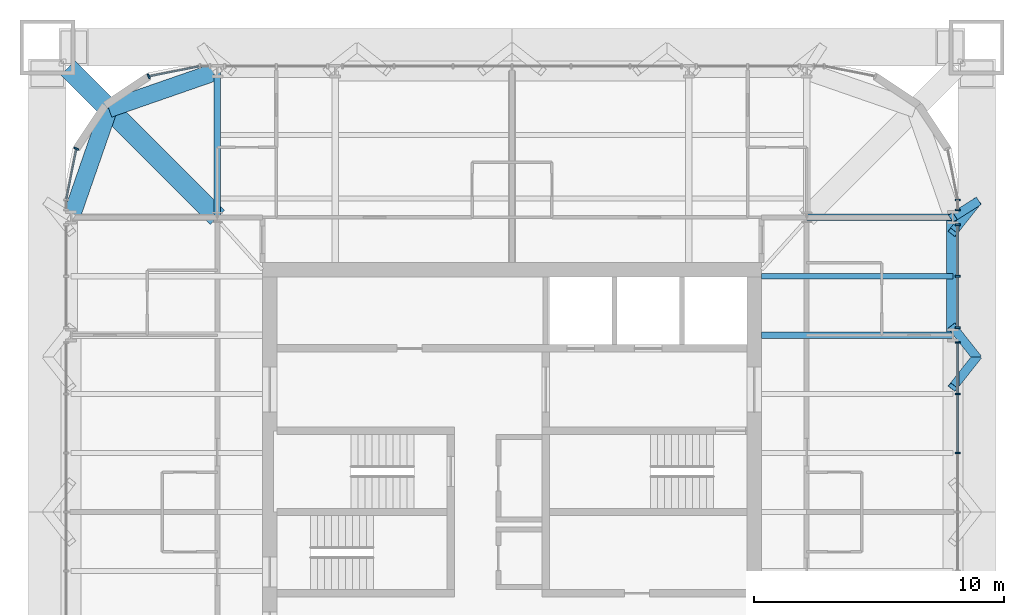
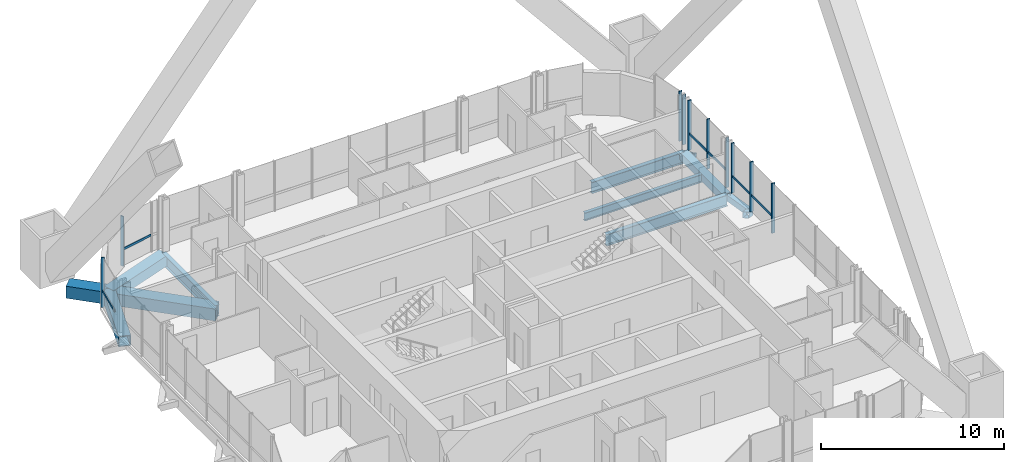
# One storey, part 9 of 23: 16 members, 12 beams, 5 elements without a shape of their own.
"""IFC4 building model written with IfcOpenShell, lengths in metres."""

from ifc_helpers import new_model, si_unit, direction, frame, origin, origin_2d, place, context, subcontext, project, spatial, rectangle, hollow_rectangle, i_section, extrude, material, material_profile, profile_set, type_object, element, aggregate, save


model = new_model("IFC4")

# Units and contexts
model_context = context("Model", 3, precision=1e-05, world=origin(), true_north=direction((0.0, 1.0)))
body_context = subcontext(model_context, "Body", "Model", "MODEL_VIEW")
ifc_project = project(units=[si_unit("LENGTHUNIT", "METRE"), si_unit("AREAUNIT", "SQUARE_METRE"), si_unit("VOLUMEUNIT", "CUBIC_METRE"), si_unit("PLANEANGLEUNIT", "RADIAN"), si_unit("MASSUNIT", "GRAM", prefix="KILO")], contexts=[model_context])

# Site, building, storey
site_placement = place(None, origin())
site = spatial("IfcSite", under=ifc_project, at=site_placement, CompositionType="ELEMENT")
building_placement = place(site_placement, origin())
building = spatial("IfcBuilding", under=site, at=building_placement, Name="Turquesa Mirador Hotel Tower", CompositionType="ELEMENT")
storey_placement = place(building_placement, frame((0.0, 0.0, 226.699951171875)))
storey = spatial("IfcBuildingStorey", under=building, at=storey_placement, Name="L61", CompositionType="ELEMENT", Elevation=226.699951171875)

# Beams
ifc_material_1 = material(Name="Steel ASTM A572 Grade 50", Category="steel")
ifc_material_profile_1 = material_profile(ifc_material_1, hollow_rectangle(XDim=0.5, YDim=0.5, WallThickness=0.031982421875, at=origin_2d()), Name="BOX500X500X32")
ifc_profile_set_1 = profile_set([ifc_material_profile_1], Name="Steel ASTM A572 Grade 50")
beam_type_1 = type_object("IfcBeamType", Name="BEAM BOX500X500X32", PredefinedType="BEAM", material=ifc_profile_set_1)
beam_1_placement = place(storey_placement, frame((72.64990234375, 52.080078125, -0.419921875), z_axis=(0.0, 1.0, 0.0), x_axis=(-1.0, 0.0, 0.0)))
element("IfcBeam", 1, at=beam_1_placement, inside=storey, type_object=beam_type_1, Name="EB-L61-E-R", PredefinedType="BEAM", context=body_context, shape_type="SweptSolid", body=[
    extrude(hollow_rectangle(XDim=0.5, YDim=0.5, WallThickness=0.031982421875, at=origin_2d()), origin(), (0.0, 0.0, 1.0), 4.719970703125),
])
ifc_material_2 = material(Name="Steel ASTM A572 Grade 50", Category="steel")
ifc_material_profile_2 = material_profile(ifc_material_2, hollow_rectangle(XDim=0.699951171875, YDim=0.699951171875, WallThickness=0.044921875, at=origin_2d()), Name="BOX700X700X45")
ifc_profile_set_2 = profile_set([ifc_material_profile_2], Name="Steel ASTM A572 Grade 50")
beam_type_2 = type_object("IfcBeamType", Name="BEAM BOX700X700X45", PredefinedType="BEAM", material=ifc_profile_set_2)
for number, where, z_axis, x_axis, name in (
    (2, (37.35009765625, 56.800048828125, -0.52001953125), (0.328170356092, 0.944618556552, 0.0), (-0.944618556552, 0.328170356092, 0.0), "KE-L61-2-0"),
    (3, (38.8583984375, 61.1416015625, -0.52001953125), (0.944618556552, 0.328170356092, 0.0), (-0.328170356092, 0.944618556552, 0.0), "KE-L61-2-1"),
):
    element("IfcBeam", number, at=place(storey_placement, frame(where, z_axis=z_axis, x_axis=x_axis)), inside=storey, type_object=beam_type_2, Name=name, PredefinedType="BEAM", context=body_context, shape_type="SweptSolid", body=[
        extrude(hollow_rectangle(XDim=0.699951171875, YDim=0.699951171875, WallThickness=0.044921875, at=origin_2d()), origin(), (0.0, 0.0, 1.0), 4.59619140625),
    ])
ifc_material_3 = material(Name="Steel ASTM A572 Grade 50", Category="steel")
ifc_material_profile_3 = material_profile(ifc_material_3, hollow_rectangle(XDim=0.800048828125, YDim=0.800048828125, WallThickness=0.050048828125, at=origin_2d()), Name="BOX800X800X50")
ifc_profile_set_3 = profile_set([ifc_material_profile_3], Name="Steel ASTM A572 Grade 50")
beam_type_3 = type_object("IfcBeamType", Name="BEAM BOX800X800X50", PredefinedType="BEAM", material=ifc_profile_set_3)
beam_2_placement = place(storey_placement, frame((43.199951171875, 56.800048828125, -0.570068359375), z_axis=(-0.707106781187, 0.707106781187, 0.0), x_axis=(-0.707106781187, -0.707106781187, 0.0)))
element("IfcBeam", 4, at=beam_2_placement, inside=storey, type_object=beam_type_3, Name="KD-L61-2", PredefinedType="BEAM", context=body_context, shape_type="SweptSolid", body=[
    extrude(hollow_rectangle(XDim=0.800048828125, YDim=0.800048828125, WallThickness=0.050048828125, at=origin_2d()), origin(), (0.0, 0.0, 1.0), 8.46240234375),
])
ifc_material_4 = material(Name="Steel ASTM A992 Grade 50", Category="steel")
ifc_material_profile_4 = material_profile(ifc_material_4, i_section(OverallWidth=0.209228515625, OverallDepth=0.533447265625, WebThickness=0.01025390625, FlangeThickness=0.015625, at=origin_2d()), Name="W21X62")
ifc_profile_set_4 = profile_set([ifc_material_profile_4], Name="Steel ASTM A992 Grade 50")
beam_type_4 = type_object("IfcBeamType", Name="BEAM W21X62", PredefinedType="BEAM", material=ifc_profile_set_4)
beam_3_placement = place(storey_placement, frame((72.64990234375, 54.43994140625, -0.436767578125), z_axis=(-1.0, 0.0, 0.0), x_axis=(0.0, -1.0, 0.0)))
element("IfcBeam", 5, at=beam_3_placement, inside=storey, type_object=beam_type_4, Name="BM-L61-E-+9.44", PredefinedType="BEAM", context=body_context, shape_type="SweptSolid", body=[
    extrude(i_section(OverallWidth=0.209228515625, OverallDepth=0.533447265625, WebThickness=0.01025390625, FlangeThickness=0.015625, at=origin_2d()), origin(), (0.0, 0.0, 1.0), 7.64990234375),
])
ifc_material_5 = material(Name="Steel ASTM A992 Grade 50", Category="steel")
ifc_material_profile_5 = material_profile(ifc_material_5, i_section(OverallWidth=0.2666015625, OverallDepth=0.7568359375, WebThickness=0.013916015625, FlangeThickness=0.019287109375, at=origin_2d()), Name="W30X108")
ifc_profile_set_5 = profile_set([ifc_material_profile_5], Name="Steel ASTM A992 Grade 50")
beam_type_5 = type_object("IfcBeamType", Name="BEAM W30X108", PredefinedType="BEAM", material=ifc_profile_set_5)
beam_4_placement = place(storey_placement, frame((43.199951171875, 62.64990234375, -0.54833984375), z_axis=(0.0, -1.0, 0.0), x_axis=(1.0, 0.0, 0.0)))
element("IfcBeam", 6, at=beam_4_placement, inside=storey, type_object=beam_type_5, Name="GK-L61-N--11.80", PredefinedType="BEAM", context=body_context, shape_type="SweptSolid", body=[
    extrude(i_section(OverallWidth=0.2666015625, OverallDepth=0.7568359375, WebThickness=0.013916015625, FlangeThickness=0.019287109375, at=origin_2d()), origin(), (0.0, 0.0, 1.0), 5.849853515625),
])
beam_5_placement = place(storey_placement, frame((72.64990234375, 52.080078125, -0.54833984375), z_axis=(-1.0, 0.0, 0.0), x_axis=(0.0, -1.0, 0.0)))
element("IfcBeam", 7, at=beam_5_placement, inside=storey, type_object=beam_type_5, Name="GD-L61-E-+7.08", PredefinedType="BEAM", context=body_context, shape_type="SweptSolid", body=[
    extrude(i_section(OverallWidth=0.2666015625, OverallDepth=0.7568359375, WebThickness=0.013916015625, FlangeThickness=0.019287109375, at=origin_2d()), origin(), (0.0, 0.0, 1.0), 7.64990234375),
])
beam_6_placement = place(storey_placement, frame((72.64990234375, 56.800048828125, -0.54833984375), z_axis=(-1.0, 0.0, 0.0), x_axis=(0.0, -1.0, 0.0)))
element("IfcBeam", 8, at=beam_6_placement, inside=storey, type_object=beam_type_5, Name="GK-L61-E-+11.80", PredefinedType="BEAM", context=body_context, shape_type="SweptSolid", body=[
    extrude(i_section(OverallWidth=0.2666015625, OverallDepth=0.7568359375, WebThickness=0.013916015625, FlangeThickness=0.019287109375, at=origin_2d()), origin(), (0.0, 0.0, 1.0), 5.849853515625),
])
ifc_material_6 = material(Name="Steel ASTM A500 Grade C", Category="steel")
ifc_material_profile_6 = material_profile(ifc_material_6, hollow_rectangle(XDim=0.355712890625, YDim=0.355712890625, WallThickness=0.0146484375, at=origin_2d()), Name="HSS14X14X5/8")
ifc_profile_set_6 = profile_set([ifc_material_profile_6], Name="Steel ASTM A500 Grade C")
beam_type_6 = type_object("IfcBeamType", Name="BRACE STRUT HSS14X14X5/8", PredefinedType="BEAM", material=ifc_profile_set_6)
for number, where, z_axis, x_axis, name in (
    (9, (73.60009765625, 51.199951171875, -1.199951171875), (-0.542379264492, -0.684941954003, 0.486496919924), (0.783971428146, -0.620796907089, 0.0), "Brace strut"),
    (10, (73.60009765625, 51.199951171875, -1.199951171875), (-0.542379264492, 0.684941954003, 0.486496919924), (-0.783971428146, -0.620796907089, 0.0), "Brace strut"),
    (11, (73.60009765625, 57.39990234375, -1.199951171875), (-0.542379264492, -0.684941954003, 0.486496919924), (0.783971428146, -0.620796907089, 0.0), "Brace strut"),
):
    element("IfcBeam", number, at=place(storey_placement, frame(where, z_axis=z_axis, x_axis=x_axis)), inside=storey, type_object=beam_type_6, Name=name, PredefinedType="BEAM", context=body_context, shape_type="SweptSolid", body=[
        extrude(hollow_rectangle(XDim=0.355712890625, YDim=0.355712890625, WallThickness=0.0146484375, at=origin_2d()), origin(), (0.0, 0.0, 1.0), 1.751953125),
    ])
beam_7_placement = place(storey_placement, frame((73.60009765625, 57.39990234375, -1.199951171875), z_axis=(-0.673727626174, -0.425320857531, 0.604312215564), x_axis=(0.53382131913, -0.845597303237, 0.0)))
element("IfcBeam", 12, at=beam_7_placement, inside=storey, type_object=beam_type_6, Name="Brace strut", PredefinedType="BEAM", context=body_context, shape_type="SweptSolid", body=[
    extrude(hollow_rectangle(XDim=0.355712890625, YDim=0.355712890625, WallThickness=0.0146484375, at=origin_2d()), origin(), (0.0, 0.0, 1.0), 1.410400390625),
])

# Curtain wall, members
ifc_material_7 = material(Name="Aluminium extrusion", Category="aluminium")
curtain_wall_type = type_object("IfcCurtainWallType", Name="CW-4 SUITE FRITTED CURTAIN WALL", PredefinedType="USERDEFINED", material=ifc_material_7)
curtain_wall_1_placement = place(storey_placement, origin())
curtain_wall_1 = element("IfcCurtainWall", 13, at=curtain_wall_1_placement, inside=storey, type_object=curtain_wall_type, Name="CW-4 SUITE FRITTED CURTAIN WALL L61", ObjectType="CURTAIN WALL", PredefinedType="USERDEFINED")
ifc_material_8 = material(Name="Aluminium extrusion", Category="aluminium")
ifc_material_profile_7 = material_profile(ifc_material_8, rectangle(XDim=0.06494140625, YDim=0.199951171875, at=origin_2d()), Name="MULLION 65X200")
ifc_profile_set_7 = profile_set([ifc_material_profile_7], Name="Aluminium extrusion")
member_type_1 = type_object("IfcMemberType", Name="CW MULLION 65X200", PredefinedType="MULLION", material=ifc_profile_set_7)
member_1_placement = place(storey_placement, frame((72.85009765625, 47.360107421875, 0.0), z_axis=(0.0, 0.0, 1.0), x_axis=(0.0, 1.0, 0.0)))
member_1 = element("IfcMember", 14, at=member_1_placement, type_object=member_type_1, Name="Mullion", PredefinedType="MULLION", context=body_context, shape_type="SweptSolid", body=[
    extrude(rectangle(XDim=0.06494140625, YDim=0.199951171875, at=origin_2d()), origin(), (0.0, 0.0, 1.0), 3.330078125),
])
member_2_placement = place(storey_placement, frame((72.85009765625, 49.719970703125, 0.0), z_axis=(0.0, 0.0, 1.0), x_axis=(0.0, 1.0, 0.0)))
member_2 = element("IfcMember", 15, at=member_2_placement, type_object=member_type_1, Name="Mullion", PredefinedType="MULLION", context=body_context, shape_type="SweptSolid", body=[
    extrude(rectangle(XDim=0.06494140625, YDim=0.199951171875, at=origin_2d()), origin(), (0.0, 0.0, 1.0), 3.330078125),
])
member_3_placement = place(storey_placement, frame((72.85009765625, 51.780029296875, 0.0), z_axis=(0.0, 0.0, 1.0), x_axis=(0.0, 1.0, 0.0)))
member_3 = element("IfcMember", 16, at=member_3_placement, type_object=member_type_1, Name="Mullion", PredefinedType="MULLION", context=body_context, shape_type="SweptSolid", body=[
    extrude(rectangle(XDim=0.06494140625, YDim=0.199951171875, at=origin_2d()), origin(), (0.0, 0.0, 1.0), 3.330078125),
])

curtain_wall_2_placement = place(storey_placement, origin())
curtain_wall_2 = element("IfcCurtainWall", 17, at=curtain_wall_2_placement, inside=storey, type_object=curtain_wall_type, Name="CW-4 SUITE FRITTED CURTAIN WALL L61", ObjectType="CURTAIN WALL", PredefinedType="USERDEFINED")
member_4_placement = place(storey_placement, frame((72.85009765625, 52.3798828125, 0.0), z_axis=(0.0, 0.0, 1.0), x_axis=(0.0, 1.0, 0.0)))
member_4 = element("IfcMember", 18, at=member_4_placement, type_object=member_type_1, Name="Mullion", PredefinedType="MULLION", context=body_context, shape_type="SweptSolid", body=[
    extrude(rectangle(XDim=0.06494140625, YDim=0.199951171875, at=origin_2d()), origin(), (0.0, 0.0, 1.0), 3.330078125),
])
member_5_placement = place(storey_placement, frame((72.85009765625, 54.43994140625, 0.0), z_axis=(0.0, 0.0, 1.0), x_axis=(0.0, 1.0, 0.0)))
member_5 = element("IfcMember", 19, at=member_5_placement, type_object=member_type_1, Name="Mullion", PredefinedType="MULLION", context=body_context, shape_type="SweptSolid", body=[
    extrude(rectangle(XDim=0.06494140625, YDim=0.199951171875, at=origin_2d()), origin(), (0.0, 0.0, 1.0), 3.330078125),
])
member_6_placement = place(storey_placement, frame((72.85009765625, 56.5, 0.0), z_axis=(0.0, 0.0, 1.0), x_axis=(0.0, 1.0, 0.0)))
member_6 = element("IfcMember", 20, at=member_6_placement, type_object=member_type_1, Name="Mullion", PredefinedType="MULLION", context=body_context, shape_type="SweptSolid", body=[
    extrude(rectangle(XDim=0.06494140625, YDim=0.199951171875, at=origin_2d()), origin(), (0.0, 0.0, 1.0), 3.330078125),
])

curtain_wall_3_placement = place(storey_placement, origin())
curtain_wall_3 = element("IfcCurtainWall", 21, at=curtain_wall_3_placement, inside=storey, type_object=curtain_wall_type, Name="CW-4 SUITE FRITTED CURTAIN WALL L61", ObjectType="CURTAIN WALL", PredefinedType="USERDEFINED")
member_7_placement = place(storey_placement, frame((72.85009765625, 57.099853515625, 0.0), z_axis=(0.0, 0.0, 1.0), x_axis=(0.0, 1.0, 0.0)))
member_7 = element("IfcMember", 22, at=member_7_placement, type_object=member_type_1, Name="Mullion", PredefinedType="MULLION", context=body_context, shape_type="SweptSolid", body=[
    extrude(rectangle(XDim=0.06494140625, YDim=0.199951171875, at=origin_2d()), origin(), (0.0, 0.0, 1.0), 3.330078125),
])
member_8_placement = place(storey_placement, frame((72.85009765625, 57.5, 0.0), z_axis=(0.0, 0.0, 1.0), x_axis=(0.0, 1.0, 0.0)))
member_8 = element("IfcMember", 23, at=member_8_placement, type_object=member_type_1, Name="Mullion", PredefinedType="MULLION", context=body_context, shape_type="SweptSolid", body=[
    extrude(rectangle(XDim=0.06494140625, YDim=0.199951171875, at=origin_2d()), origin(), (0.0, 0.0, 1.0), 3.330078125),
])
aggregate(curtain_wall_3, [member_7, member_8])

# Curtain wall, member
curtain_wall_4_placement = place(storey_placement, origin())
curtain_wall_4 = element("IfcCurtainWall", 24, at=curtain_wall_4_placement, inside=storey, type_object=curtain_wall_type, Name="CW-4 SUITE FRITTED CURTAIN WALL L61", ObjectType="CURTAIN WALL", PredefinedType="USERDEFINED")
member_9_placement = place(storey_placement, frame((40.45263671875, 62.44287109375, 0.0), z_axis=(0.0, 0.0, 1.0), x_axis=(-0.923879532511, -0.382683432365, 0.0)))
member_9 = element("IfcMember", 25, at=member_9_placement, type_object=member_type_1, Name="Mullion", PredefinedType="MULLION", context=body_context, shape_type="SweptSolid", body=[
    extrude(rectangle(XDim=0.06494140625, YDim=0.199951171875, at=origin_2d()), origin(), (0.0, 0.0, 1.0), 3.330078125),
])

curtain_wall_5_placement = place(storey_placement, origin())
curtain_wall_5 = element("IfcCurtainWall", 26, at=curtain_wall_5_placement, inside=storey, type_object=curtain_wall_type, Name="CW-4 SUITE FRITTED CURTAIN WALL L61", ObjectType="CURTAIN WALL", PredefinedType="USERDEFINED")
member_10_placement = place(storey_placement, frame((37.55712890625, 59.54736328125, 0.0), z_axis=(0.0, 0.0, 1.0), x_axis=(-0.382683432365, -0.923879532511, 0.0)))
member_10 = element("IfcMember", 27, at=member_10_placement, type_object=member_type_1, Name="Mullion", PredefinedType="MULLION", context=body_context, shape_type="SweptSolid", body=[
    extrude(rectangle(XDim=0.06494140625, YDim=0.199951171875, at=origin_2d()), origin(), (0.0, 0.0, 1.0), 3.330078125),
])

# Member
ifc_material_9 = material(Name="Aluminium extrusion", Category="aluminium")
ifc_material_profile_8 = material_profile(ifc_material_9, rectangle(XDim=0.06494140625, YDim=0.14990234375, at=origin_2d()), Name="TRANSOM 65X150")
ifc_profile_set_8 = profile_set([ifc_material_profile_8], Name="Aluminium extrusion")
member_type_2 = type_object("IfcMemberType", Name="CW TRANSOM 65X150", PredefinedType="USERDEFINED", material=ifc_profile_set_8)
member_11_placement = place(storey_placement, frame((72.85009765625, 47.392578125, 1.10009765625), z_axis=(0.0, 1.0, 0.0), x_axis=(-1.0, 0.0, 0.0)))
member_11 = element("IfcMember", 28, at=member_11_placement, type_object=member_type_2, Name="Transom", ObjectType="TRANSOM", PredefinedType="USERDEFINED", context=body_context, shape_type="SweptSolid", body=[
    extrude(rectangle(XDim=0.06494140625, YDim=0.14990234375, at=origin_2d()), origin(), (0.0, 0.0, 1.0), 2.294921875),
])

member_12_placement = place(storey_placement, frame((72.85009765625, 49.75244140625, 1.10009765625), z_axis=(0.0, 1.0, 0.0), x_axis=(-1.0, 0.0, 0.0)))
member_12 = element("IfcMember", 29, at=member_12_placement, type_object=member_type_2, Name="Transom", ObjectType="TRANSOM", PredefinedType="USERDEFINED", context=body_context, shape_type="SweptSolid", body=[
    extrude(rectangle(XDim=0.06494140625, YDim=0.14990234375, at=origin_2d()), origin(), (0.0, 0.0, 1.0), 1.9951171875),
])

aggregate(curtain_wall_1, [member_1, member_2, member_3, member_11, member_12])

member_13_placement = place(storey_placement, frame((72.85009765625, 52.412353515625, 1.10009765625), z_axis=(0.0, 1.0, 0.0), x_axis=(-1.0, 0.0, 0.0)))
member_13 = element("IfcMember", 30, at=member_13_placement, type_object=member_type_2, Name="Transom", ObjectType="TRANSOM", PredefinedType="USERDEFINED", context=body_context, shape_type="SweptSolid", body=[
    extrude(rectangle(XDim=0.06494140625, YDim=0.14990234375, at=origin_2d()), origin(), (0.0, 0.0, 1.0), 1.9951171875),
])

member_14_placement = place(storey_placement, frame((72.85009765625, 54.472412109375, 1.10009765625), z_axis=(0.0, 1.0, 0.0), x_axis=(-1.0, 0.0, 0.0)))
member_14 = element("IfcMember", 31, at=member_14_placement, type_object=member_type_2, Name="Transom", ObjectType="TRANSOM", PredefinedType="USERDEFINED", context=body_context, shape_type="SweptSolid", body=[
    extrude(rectangle(XDim=0.06494140625, YDim=0.14990234375, at=origin_2d()), origin(), (0.0, 0.0, 1.0), 1.9951171875),
])

aggregate(curtain_wall_2, [member_4, member_5, member_6, member_13, member_14])

member_15_placement = place(storey_placement, frame((42.468017578125, 62.84375, 1.10009765625), z_axis=(-0.980761343592, -0.195210621934, 0.0), x_axis=(0.195210621934, -0.980761343592, 0.0)))
member_15 = element("IfcMember", 32, at=member_15_placement, type_object=member_type_2, Name="Transom", ObjectType="TRANSOM", PredefinedType="USERDEFINED", context=body_context, shape_type="SweptSolid", body=[
    extrude(rectangle(XDim=0.06494140625, YDim=0.14990234375, at=origin_2d()), origin(), (0.0, 0.0, 1.0), 2.022216796875),
])

aggregate(curtain_wall_4, [member_9, member_15])

member_16_placement = place(storey_placement, frame((37.551025390625, 59.515380859375, 1.10009765625), z_axis=(-0.195210621934, -0.980761343592, 0.0), x_axis=(0.980761343592, -0.195210621934, 0.0)))
member_16 = element("IfcMember", 33, at=member_16_placement, type_object=member_type_2, Name="Transom", ObjectType="TRANSOM", PredefinedType="USERDEFINED", context=body_context, shape_type="SweptSolid", body=[
    extrude(rectangle(XDim=0.06494140625, YDim=0.14990234375, at=origin_2d()), origin(), (0.0, 0.0, 1.0), 2.022216796875),
])

aggregate(curtain_wall_5, [member_10, member_16])

save(model, "model.ifc")
